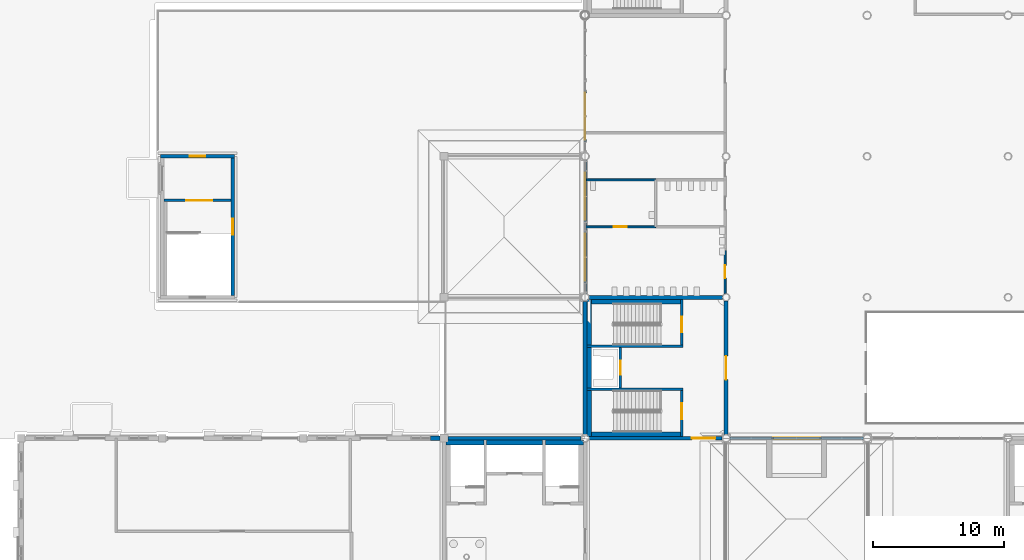
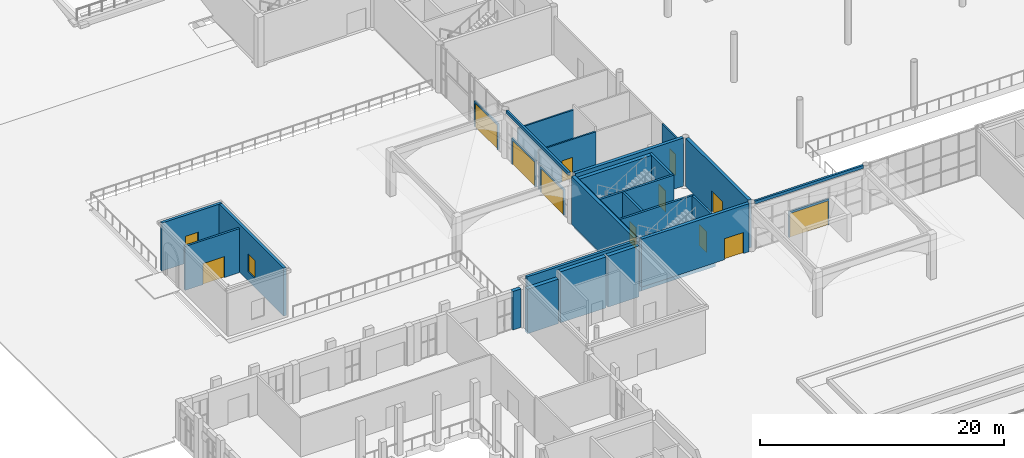
# One storey, part 46 of 91: 31 walls, 12 doors, 2 windows, 14 openings.
"""IFC4 building model written with IfcOpenShell, lengths in metres."""

from ifc_helpers import new_model, si_unit, direction, frame, frame_2d, origin, place, context, subcontext, project, spatial, rectangle, extrude, material, layer, layer_set, type_object, element, fill, save


model = new_model("IFC4")

# Units and contexts
model_context = context("Model", 3, precision=1e-05, world=origin(), true_north=direction((0.0, 1.0)))
body_context = subcontext(model_context, "Body", "Model", "MODEL_VIEW")
ifc_project = project(units=[si_unit("LENGTHUNIT", "METRE"), si_unit("AREAUNIT", "SQUARE_METRE"), si_unit("VOLUMEUNIT", "CUBIC_METRE"), si_unit("PLANEANGLEUNIT", "RADIAN"), si_unit("MASSUNIT", "GRAM", prefix="KILO")], contexts=[model_context])

# Site, building, storey
site_placement = place(None, origin())
site = spatial("IfcSite", under=ifc_project, at=site_placement, CompositionType="ELEMENT")
building_placement = place(site_placement, origin())
building = spatial("IfcBuilding", under=site, at=building_placement, Name="Magnolia Steps Interchange", CompositionType="ELEMENT")
storey_placement = place(building_placement, origin())
storey = spatial("IfcBuildingStorey", under=building, at=storey_placement, Name="L00", CompositionType="ELEMENT", Elevation=0.0)

# Wall, opening, door
ifc_material_1 = material(Name="Concrete C35", Category="concrete")
ifc_layer_1 = layer(ifc_material_1, 0.199951171875)
ifc_layer_set_1 = layer_set([ifc_layer_1], Name="Core enclosure wall 200")
wall_type_1 = type_object("IfcWallType", Name="Core enclosure wall 200", PredefinedType="SOLIDWALL", material=ifc_layer_set_1)
wall_1_placement = place(storey_placement, frame((60.60009765625, 42.550048828125, 0.0), z_axis=(0.0, 0.0, 1.0), x_axis=(0.0, 1.0, 0.0)))
wall_1 = element("IfcWall", 1, at=wall_1_placement, inside=storey, type_object=wall_type_1, Name="L00 HC3 enclosure wall", PredefinedType="SOLIDWALL", context=body_context, shape_type="SweptSolid", body=[
    extrude(rectangle(XDim=3.5, YDim=0.199951171875, at=frame_2d((1.75, 0.0))), origin(), (0.0, 0.0, 1.0), 4.39990234375),
])
opening_1_placement = place(wall_1_placement, frame((1.324951171875, 0.0, 0.0)))
opening_1 = element("IfcOpeningElement", 2, at=opening_1_placement, cuts=wall_1, Name="Opening D-HC3-L00-1", PredefinedType="OPENING", context=body_context, shape_type="SweptSolid", body=[
    extrude(rectangle(XDim=1.199951171875, YDim=2.10009765625, at=frame_2d((0.60009765625, 1.050048828125))), frame((0.0, 0.10986328125, 0.0), z_axis=(0.0, -1.0, 0.0), x_axis=(1.0, 0.0, 0.0)), (0.0, 0.0, 1.0), 0.219970703125),
])
ifc_material_2 = material(Name="Painted steel", Category="steel")
door_type_1 = type_object("IfcDoorType", Name="Stair fire door 1200x2100", OperationType="NOTDEFINED", PredefinedType="DOOR", material=ifc_material_2)
door_1_placement = place(opening_1_placement, frame((1.199951171875, 0.0, 0.0), z_axis=(0.0, 0.0, 1.0), x_axis=(-1.0, 0.0, 0.0)))
door_1 = element("IfcDoor", 3, at=door_1_placement, inside=storey, type_object=door_type_1, Name="Stair door ST5 L00", OperationType="SINGLE_SWING_LEFT", OverallHeight=2.10009765625, OverallWidth=1.199951171875, PredefinedType="DOOR", context=body_context, shape_type="SweptSolid", body=[
    extrude(rectangle(XDim=1.199951171875, YDim=2.10009765625, at=frame_2d((0.60009765625, 1.050048828125))), frame((0.0, 0.02490234375, 0.0), z_axis=(0.0, -1.0, 0.0), x_axis=(1.0, 0.0, 0.0)), (0.0, 0.0, 1.0), 0.050048828125),
])
fill(opening_1, door_1)

# Wall
wall_2_placement = place(storey_placement, frame((60.699951171875, 46.14990234375, 0.0), z_axis=(0.0, 0.0, 1.0), x_axis=(-1.0, 0.0, 0.0)))
element("IfcWall", 4, at=wall_2_placement, inside=storey, type_object=wall_type_1, Name="L00 HC3 enclosure wall", PredefinedType="SOLIDWALL", context=body_context, shape_type="SweptSolid", body=[
    extrude(rectangle(XDim=7.349853515625, YDim=0.199951171875, at=frame_2d((3.6748046875, 0.0))), origin(), (0.0, 0.0, 1.0), 4.39990234375),
])

# Wall, opening, door
wall_3_placement = place(storey_placement, frame((55.89990234375, 46.25, 0.0), z_axis=(0.0, 0.0, 1.0), x_axis=(0.0, 1.0, 0.0)))
wall_3 = element("IfcWall", 5, at=wall_3_placement, inside=storey, type_object=wall_type_1, Name="L00 HC3 enclosure wall", PredefinedType="SOLIDWALL", context=body_context, shape_type="SweptSolid", body=[
    extrude(rectangle(XDim=3.10009765625, YDim=0.199951171875, at=frame_2d((1.550048828125, 0.0))), origin(), (0.0, 0.0, 1.0), 4.39990234375),
])
opening_2_placement = place(wall_3_placement, frame((1.0, 0.0, 0.0)))
opening_2 = element("IfcOpeningElement", 6, at=opening_2_placement, cuts=wall_3, Name="Opening LD", PredefinedType="OPENING", context=body_context, shape_type="SweptSolid", body=[
    extrude(rectangle(XDim=1.10009765625, YDim=2.10009765625, at=frame_2d((0.550048828125, 1.050048828125))), frame((0.0, 0.10986328125, 0.0), z_axis=(0.0, -1.0, 0.0), x_axis=(1.0, 0.0, 0.0)), (0.0, 0.0, 1.0), 0.219970703125),
])
ifc_material_3 = material(Name="Stainless steel grade 304", Category="steel")
door_type_2 = type_object("IfcDoorType", Name="Lift landing door 1100x2100", OperationType="DOUBLE_DOOR_SLIDING", PredefinedType="DOOR", material=ifc_material_3)
door_2_placement = place(opening_2_placement, frame((1.10009765625, 0.0, 0.0), z_axis=(0.0, 0.0, 1.0), x_axis=(-1.0, 0.0, 0.0)))
door_2 = element("IfcDoor", 7, at=door_2_placement, inside=storey, type_object=door_type_2, Name="Lift landing door LF3 L00", OperationType="DOUBLE_DOOR_SLIDING", OverallHeight=2.10009765625, OverallWidth=1.10009765625, PredefinedType="DOOR", context=body_context, shape_type="SweptSolid", body=[
    extrude(rectangle(XDim=1.10009765625, YDim=2.10009765625, at=frame_2d((0.550048828125, 1.050048828125))), frame((0.0, 0.02490234375, 0.0), z_axis=(0.0, -1.0, 0.0), x_axis=(1.0, 0.0, 0.0)), (0.0, 0.0, 1.0), 0.050048828125),
])
fill(opening_2, door_2)

# Wall
wall_4_placement = place(storey_placement, frame((60.699951171875, 49.449951171875, 0.0), z_axis=(0.0, 0.0, 1.0), x_axis=(-1.0, 0.0, 0.0)))
element("IfcWall", 8, at=wall_4_placement, inside=storey, type_object=wall_type_1, Name="L00 HC3 enclosure wall", PredefinedType="SOLIDWALL", context=body_context, shape_type="SweptSolid", body=[
    extrude(rectangle(XDim=7.349853515625, YDim=0.199951171875, at=frame_2d((3.6748046875, 0.0))), origin(), (0.0, 0.0, 1.0), 4.39990234375),
])

# Wall, opening, door
wall_5_placement = place(storey_placement, frame((60.60009765625, 49.550048828125, 0.0), z_axis=(0.0, 0.0, 1.0), x_axis=(0.0, 1.0, 0.0)))
wall_5 = element("IfcWall", 9, at=wall_5_placement, inside=storey, type_object=wall_type_1, Name="L00 HC3 enclosure wall", PredefinedType="SOLIDWALL", context=body_context, shape_type="SweptSolid", body=[
    extrude(rectangle(XDim=3.5, YDim=0.199951171875, at=frame_2d((1.75, 0.0))), origin(), (0.0, 0.0, 1.0), 4.39990234375),
])
opening_3_placement = place(wall_5_placement, frame((0.97509765625, 0.0, 0.0)))
opening_3 = element("IfcOpeningElement", 10, at=opening_3_placement, cuts=wall_5, Name="Opening D-HC3-L00-2", PredefinedType="OPENING", context=body_context, shape_type="SweptSolid", body=[
    extrude(rectangle(XDim=1.199951171875, YDim=2.10009765625, at=frame_2d((0.60009765625, 1.050048828125))), frame((0.0, 0.10986328125, 0.0), z_axis=(0.0, -1.0, 0.0), x_axis=(1.0, 0.0, 0.0)), (0.0, 0.0, 1.0), 0.219970703125),
])
door_3_placement = place(opening_3_placement, frame((1.199951171875, 0.0, 0.0), z_axis=(0.0, 0.0, 1.0), x_axis=(-1.0, 0.0, 0.0)))
door_3 = element("IfcDoor", 11, at=door_3_placement, inside=storey, type_object=door_type_1, Name="Stair door ST6 L00", OperationType="SINGLE_SWING_RIGHT", OverallHeight=2.10009765625, OverallWidth=1.199951171875, PredefinedType="DOOR", context=body_context, shape_type="SweptSolid", body=[
    extrude(rectangle(XDim=1.199951171875, YDim=2.10009765625, at=frame_2d((0.60009765625, 1.050048828125))), frame((0.0, 0.02490234375, 0.0), z_axis=(0.0, -1.0, 0.0), x_axis=(1.0, 0.0, 0.0)), (0.0, 0.0, 1.0), 0.050048828125),
])
fill(opening_3, door_3)

wall_6_placement = place(storey_placement, frame((26.074951171875, 60.625, 0.0), z_axis=(0.0, 0.0, 1.0), x_axis=(-1.0, 0.0, 0.0)))
wall_6 = element("IfcWall", 12, at=wall_6_placement, inside=storey, type_object=wall_type_1, Name="L00 BE-W enclosure wall", PredefinedType="SOLIDWALL", context=body_context, shape_type="SweptSolid", body=[
    extrude(rectangle(XDim=5.14990234375, YDim=0.199951171875, at=frame_2d((2.574951171875, 0.0))), origin(), (0.0, 0.0, 1.0), 4.39990234375),
])
opening_4_placement = place(wall_6_placement, frame((1.449951171875, 0.0, 0.0)))
opening_4 = element("IfcOpeningElement", 13, at=opening_4_placement, cuts=wall_6, Name="Opening D-BE-W-L00-1", PredefinedType="OPENING", context=body_context, shape_type="SweptSolid", body=[
    extrude(rectangle(XDim=2.0, YDim=2.10009765625, at=frame_2d((1.0, 1.050048828125))), frame((0.0, 0.10986328125, 0.0), z_axis=(0.0, -1.0, 0.0), x_axis=(1.0, 0.0, 0.0)), (0.0, 0.0, 1.0), 0.219970703125),
])
ifc_material_4 = material(Name="Painted steel", Category="steel")
door_type_3 = type_object("IfcDoorType", Name="Stair fire door pair 2000x2100", OperationType="DOUBLE_DOOR_DOUBLE_SWING", PredefinedType="DOOR", material=ifc_material_4)
door_4_placement = place(opening_4_placement, frame((2.0, 0.0, 0.0), z_axis=(0.0, 0.0, 1.0), x_axis=(-1.0, 0.0, 0.0)))
door_4 = element("IfcDoor", 14, at=door_4_placement, inside=storey, type_object=door_type_3, Name="Stair door ST15 L00", OperationType="DOUBLE_DOOR_DOUBLE_SWING", OverallHeight=2.10009765625, OverallWidth=2.0, PredefinedType="DOOR", context=body_context, shape_type="SweptSolid", body=[
    extrude(rectangle(XDim=2.0, YDim=2.10009765625, at=frame_2d((1.0, 1.050048828125))), frame((0.0, 0.02490234375, 0.0), z_axis=(0.0, -1.0, 0.0), x_axis=(1.0, 0.0, 0.0)), (0.0, 0.0, 1.0), 0.050048828125),
])
fill(opening_4, door_4)

# Walls
ifc_material_5 = material(Name="Concrete C35", Category="concrete")
ifc_layer_2 = layer(ifc_material_5, 0.35009765625)
ifc_layer_set_2 = layer_set([ifc_layer_2], Name="Core lining wall 350")
wall_type_2 = type_object("IfcWallType", Name="Core lining wall 350", PredefinedType="SOLIDWALL", material=ifc_layer_set_2)
wall_7_placement = place(storey_placement, frame((60.699951171875, 42.72509765625, -0.60009765625), z_axis=(0.0, 0.0, 1.0), x_axis=(-1.0, 0.0, 0.0)))
element("IfcWall", 15, at=wall_7_placement, inside=storey, type_object=wall_type_2, Name="L00 HC3 stair lining wall", PredefinedType="SOLIDWALL", context=body_context, shape_type="SweptSolid", body=[
    extrude(rectangle(XDim=7.349853515625, YDim=0.35009765625, at=frame_2d((3.6748046875, 0.0))), origin(), (0.0, 0.0, 1.0), 5.0),
])
wall_8_placement = place(storey_placement, frame((53.52490234375, 42.550048828125, -0.60009765625), z_axis=(0.0, 0.0, 1.0), x_axis=(0.0, 1.0, 0.0)))
element("IfcWall", 16, at=wall_8_placement, inside=storey, type_object=wall_type_2, Name="L00 HC3 stair lining wall", PredefinedType="SOLIDWALL", context=body_context, shape_type="SweptSolid", body=[
    extrude(rectangle(XDim=3.5, YDim=0.35009765625, at=frame_2d((1.75, 0.0))), origin(), (0.0, 0.0, 1.0), 5.0),
])
wall_9_placement = place(storey_placement, frame((60.699951171875, 52.875, -0.60009765625), z_axis=(0.0, 0.0, 1.0), x_axis=(-1.0, 0.0, 0.0)))
element("IfcWall", 17, at=wall_9_placement, inside=storey, type_object=wall_type_2, Name="L00 HC3 stair lining wall", PredefinedType="SOLIDWALL", context=body_context, shape_type="SweptSolid", body=[
    extrude(rectangle(XDim=7.349853515625, YDim=0.35009765625, at=frame_2d((3.6748046875, 0.0))), origin(), (0.0, 0.0, 1.0), 5.0),
])
wall_10_placement = place(storey_placement, frame((53.52490234375, 49.550048828125, -0.60009765625), z_axis=(0.0, 0.0, 1.0), x_axis=(0.0, 1.0, 0.0)))
element("IfcWall", 18, at=wall_10_placement, inside=storey, type_object=wall_type_2, Name="L00 HC3 stair lining wall", PredefinedType="SOLIDWALL", context=body_context, shape_type="SweptSolid", body=[
    extrude(rectangle(XDim=3.5, YDim=0.35009765625, at=frame_2d((1.75, 0.0))), origin(), (0.0, 0.0, 1.0), 5.0),
])
wall_11_placement = place(storey_placement, frame((53.52490234375, 46.25, -0.60009765625), z_axis=(0.0, 0.0, 1.0), x_axis=(0.0, 1.0, 0.0)))
element("IfcWall", 19, at=wall_11_placement, inside=storey, type_object=wall_type_2, Name="L00 HC3 stair lining wall", PredefinedType="SOLIDWALL", context=body_context, shape_type="SweptSolid", body=[
    extrude(rectangle(XDim=3.10009765625, YDim=0.35009765625, at=frame_2d((1.550048828125, 0.0))), origin(), (0.0, 0.0, 1.0), 5.0),
])
ifc_material_6 = material(Name="Concrete C35", Category="concrete")
ifc_layer_3 = layer(ifc_material_6, 0.375)
ifc_layer_set_3 = layer_set([ifc_layer_3], Name="Core lining wall 375")
wall_type_3 = type_object("IfcWallType", Name="Core lining wall 375", PredefinedType="SOLIDWALL", material=ifc_layer_set_3)
wall_12_placement = place(storey_placement, frame((42.52490234375, 42.08740234375, -0.60009765625), z_axis=(0.0, 0.0, 1.0), x_axis=(1.0, 0.0, 0.0)))
element("IfcWall", 20, at=wall_12_placement, inside=storey, type_object=wall_type_3, Name="L00 BC1 stair lining wall", PredefinedType="SOLIDWALL", context=body_context, shape_type="SweptSolid", body=[
    extrude(rectangle(XDim=2.925048828125, YDim=0.375, at=frame_2d((1.46240234375, 0.0))), origin(), (0.0, 0.0, 1.0), 4.4501953125),
])
wall_13_placement = place(storey_placement, frame((50.14990234375, 42.08740234375, -0.60009765625), z_axis=(0.0, 0.0, 1.0), x_axis=(1.0, 0.0, 0.0)))
element("IfcWall", 21, at=wall_13_placement, inside=storey, type_object=wall_type_3, Name="L00 BC1 stair lining wall", PredefinedType="SOLIDWALL", context=body_context, shape_type="SweptSolid", body=[
    extrude(rectangle(XDim=2.925048828125, YDim=0.375, at=frame_2d((1.46240234375, 0.0))), origin(), (0.0, 0.0, 1.0), 5.10009765625),
])
wall_14_placement = place(storey_placement, frame((45.64990234375, 42.08740234375, -0.60009765625), z_axis=(0.0, 0.0, 1.0), x_axis=(1.0, 0.0, 0.0)))
element("IfcWall", 22, at=wall_14_placement, inside=storey, type_object=wall_type_3, Name="L00 BC1 stair lining wall", PredefinedType="SOLIDWALL", context=body_context, shape_type="SweptSolid", body=[
    extrude(rectangle(XDim=4.300048828125, YDim=0.375, at=frame_2d((2.14990234375, 0.0))), origin(), (0.0, 0.0, 1.0), 5.10009765625),
])

# Wall, opening, window
ifc_material_7 = material(Name="Concrete C40", Category="concrete")
ifc_layer_4 = layer(ifc_material_7, 0.25)
ifc_layer_set_4 = layer_set([ifc_layer_4], Name="Core wall 250")
wall_type_4 = type_object("IfcWallType", Name="Core wall 250", PredefinedType="SOLIDWALL", material=ifc_layer_set_4)
wall_15_placement = place(storey_placement, frame((26.199951171875, 53.324951171875, 0.0), z_axis=(0.0, 0.0, 1.0), x_axis=(0.0, 1.0, 0.0)))
wall_15 = element("IfcWall", 23, at=wall_15_placement, inside=storey, type_object=wall_type_4, Name="Core wall BE-W", PredefinedType="SOLIDWALL", context=body_context, shape_type="SweptSolid", body=[
    extrude(rectangle(XDim=10.550048828125, YDim=0.25, at=frame_2d((5.27490234375, 0.0))), origin(), (0.0, 0.0, 1.0), 4.800048828125),
])
opening_5_placement = place(wall_15_placement, frame((4.675048828125, 0.0, 0.89990234375)))
opening_5 = element("IfcOpeningElement", 24, at=opening_5_placement, cuts=wall_15, Name="Opening WN9", PredefinedType="OPENING", context=body_context, shape_type="SweptSolid", body=[
    extrude(rectangle(XDim=1.199951171875, YDim=1.800048828125, at=frame_2d((0.60009765625, 0.89990234375))), frame((0.0, 0.135009765625, 0.0), z_axis=(0.0, -1.0, 0.0), x_axis=(1.0, 0.0, 0.0)), (0.0, 0.0, 1.0), 0.27001953125),
])
ifc_material_8 = material(Name="Timber frame with double glazing", Category="wood")
window_type = type_object("IfcWindowType", Name="Casement window 1200 x 1800", PartitioningType="DOUBLE_PANEL_VERTICAL", PredefinedType="WINDOW", material=ifc_material_8)
window_1_placement = place(opening_5_placement, origin())
window_1 = element("IfcWindow", 25, at=window_1_placement, inside=storey, type_object=window_type, Name="Pavilion window BE-W E", OverallHeight=1.800048828125, OverallWidth=1.199951171875, PartitioningType="SINGLE_PANEL", PredefinedType="WINDOW", context=body_context, shape_type="SweptSolid", body=[
    extrude(rectangle(XDim=1.199951171875, YDim=1.800048828125, at=frame_2d((0.60009765625, 0.89990234375))), frame((0.0, 0.030029296875, 0.0), z_axis=(0.0, -1.0, 0.0), x_axis=(1.0, 0.0, 0.0)), (0.0, 0.0, 1.0), 0.06005859375),
])
fill(opening_5, window_1)

wall_16_placement = place(storey_placement, frame((26.324951171875, 64.0, 0.0), z_axis=(0.0, 0.0, 1.0), x_axis=(-1.0, 0.0, 0.0)))
wall_16 = element("IfcWall", 26, at=wall_16_placement, inside=storey, type_object=wall_type_4, Name="Core wall BE-W", PredefinedType="SOLIDWALL", context=body_context, shape_type="SweptSolid", body=[
    extrude(rectangle(XDim=5.64990234375, YDim=0.25, at=frame_2d((2.824951171875, 0.0))), origin(), (0.0, 0.0, 1.0), 4.800048828125),
])
opening_6_placement = place(wall_16_placement, frame((2.22509765625, 0.0, 0.89990234375)))
opening_6 = element("IfcOpeningElement", 27, at=opening_6_placement, cuts=wall_16, Name="Opening WN9", PredefinedType="OPENING", context=body_context, shape_type="SweptSolid", body=[
    extrude(rectangle(XDim=1.199951171875, YDim=1.800048828125, at=frame_2d((0.60009765625, 0.89990234375))), frame((0.0, 0.135009765625, 0.0), z_axis=(0.0, -1.0, 0.0), x_axis=(1.0, 0.0, 0.0)), (0.0, 0.0, 1.0), 0.27001953125),
])
window_2_placement = place(opening_6_placement, origin())
window_2 = element("IfcWindow", 28, at=window_2_placement, inside=storey, type_object=window_type, Name="Pavilion window BE-W N", OverallHeight=1.800048828125, OverallWidth=1.199951171875, PartitioningType="SINGLE_PANEL", PredefinedType="WINDOW", context=body_context, shape_type="SweptSolid", body=[
    extrude(rectangle(XDim=1.199951171875, YDim=1.800048828125, at=frame_2d((0.60009765625, 0.89990234375))), frame((0.0, 0.030029296875, 0.0), z_axis=(0.0, -1.0, 0.0), x_axis=(1.0, 0.0, 0.0)), (0.0, 0.0, 1.0), 0.06005859375),
])
fill(opening_6, window_2)

# Wall
wall_17_placement = place(storey_placement, frame((52.89501953125, 42.39990234375, 0.0), z_axis=(0.0, 0.0, 1.0), x_axis=(-1.0, 0.0, 0.0)))
element("IfcWall", 29, at=wall_17_placement, inside=storey, type_object=wall_type_4, Name="Core wall BC1", PredefinedType="SOLIDWALL", context=body_context, shape_type="SweptSolid", body=[
    extrude(rectangle(XDim=10.195068359375, YDim=0.25, at=frame_2d((5.09765625, 0.0))), origin(), (0.0, 0.0, 1.0), 4.800048828125),
])

# Wall, opening, door
ifc_material_9 = material(Name="Concrete C40", Category="concrete")
ifc_layer_5 = layer(ifc_material_9, 0.300048828125)
ifc_layer_set_5 = layer_set([ifc_layer_5], Name="Core wall 300")
wall_type_5 = type_object("IfcWallType", Name="Core wall 300", PredefinedType="SOLIDWALL", material=ifc_layer_set_5)
wall_18_placement = place(storey_placement, frame((53.5048828125, 42.39990234375, 0.0), z_axis=(0.0, 0.0, 1.0), x_axis=(1.0, 0.0, 0.0)))
wall_18 = element("IfcWall", 30, at=wall_18_placement, inside=storey, type_object=wall_type_5, Name="Core wall HC3", PredefinedType="SOLIDWALL", context=body_context, shape_type="SweptSolid", body=[
    extrude(rectangle(XDim=10.190185546875, YDim=0.300048828125, at=frame_2d((5.09521484375, 0.0))), origin(), (0.0, 0.0, 1.0), 4.800048828125),
])
opening_7_placement = place(wall_18_placement, frame((7.8701171875, 0.0, 0.0)))
opening_7 = element("IfcOpeningElement", 31, at=opening_7_placement, cuts=wall_18, Name="Opening D-HC3-L00-4", PredefinedType="OPENING", context=body_context, shape_type="SweptSolid", body=[
    extrude(rectangle(XDim=1.800048828125, YDim=2.10009765625, at=frame_2d((0.89990234375, 1.050048828125))), frame((0.0, 0.159912109375, 0.0), z_axis=(0.0, -1.0, 0.0), x_axis=(1.0, 0.0, 0.0)), (0.0, 0.0, 1.0), 0.320068359375),
])
ifc_material_10 = material(Name="Timber and glass", Category="wood")
door_type_4 = type_object("IfcDoorType", Name="Core entrance door pair 1800x2100", OperationType="DOUBLE_DOOR_DOUBLE_SWING", PredefinedType="DOOR", material=ifc_material_10)
door_5_placement = place(opening_7_placement, frame((1.800048828125, 0.0, 0.0), z_axis=(0.0, 0.0, 1.0), x_axis=(-1.0, 0.0, 0.0)))
door_5 = element("IfcDoor", 32, at=door_5_placement, inside=storey, type_object=door_type_4, Name="Core entrance door HC3 L00", OperationType="DOUBLE_DOOR_DOUBLE_SWING", OverallHeight=2.10009765625, OverallWidth=1.800048828125, PredefinedType="DOOR", context=body_context, shape_type="SweptSolid", body=[
    extrude(rectangle(XDim=1.800048828125, YDim=2.10009765625, at=frame_2d((0.89990234375, 1.050048828125))), frame((0.0, 0.02490234375, 0.0), z_axis=(0.0, -1.0, 0.0), x_axis=(1.0, 0.0, 0.0)), (0.0, 0.0, 1.0), 0.050048828125),
])
fill(opening_7, door_5)

wall_19_placement = place(storey_placement, frame((64.0, 42.705078125, 0.0), z_axis=(0.0, 0.0, 1.0), x_axis=(0.0, 1.0, 0.0)))
wall_19 = element("IfcWall", 33, at=wall_19_placement, inside=storey, type_object=wall_type_5, Name="Core wall HC3", PredefinedType="SOLIDWALL", context=body_context, shape_type="SweptSolid", body=[
    extrude(rectangle(XDim=10.21533203125, YDim=0.300048828125, at=frame_2d((5.107666015625, 0.0))), origin(), (0.0, 0.0, 1.0), 4.800048828125),
])
opening_8_placement = place(wall_19_placement, frame((4.195068359375, 0.0, 0.0)))
opening_8 = element("IfcOpeningElement", 34, at=opening_8_placement, cuts=wall_19, Name="Opening D-HC3-L00-3", PredefinedType="OPENING", context=body_context, shape_type="SweptSolid", body=[
    extrude(rectangle(XDim=1.800048828125, YDim=2.10009765625, at=frame_2d((0.89990234375, 1.050048828125))), frame((0.0, 0.159912109375, 0.0), z_axis=(0.0, -1.0, 0.0), x_axis=(1.0, 0.0, 0.0)), (0.0, 0.0, 1.0), 0.320068359375),
])
door_6_placement = place(opening_8_placement, frame((1.800048828125, 0.0, 0.0), z_axis=(0.0, 0.0, 1.0), x_axis=(-1.0, 0.0, 0.0)))
door_6 = element("IfcDoor", 35, at=door_6_placement, inside=storey, type_object=door_type_4, Name="Core entrance door HC3 L00", OperationType="DOUBLE_DOOR_DOUBLE_SWING", OverallHeight=2.10009765625, OverallWidth=1.800048828125, PredefinedType="DOOR", context=body_context, shape_type="SweptSolid", body=[
    extrude(rectangle(XDim=1.800048828125, YDim=2.10009765625, at=frame_2d((0.89990234375, 1.050048828125))), frame((0.0, 0.02490234375, 0.0), z_axis=(0.0, -1.0, 0.0), x_axis=(1.0, 0.0, 0.0)), (0.0, 0.0, 1.0), 0.050048828125),
])
fill(opening_8, door_6)

# Walls
wall_20_placement = place(storey_placement, frame((63.720458984375, 53.199951171875, 0.0), z_axis=(0.0, 0.0, 1.0), x_axis=(-1.0, 0.0, 0.0)))
element("IfcWall", 36, at=wall_20_placement, inside=storey, type_object=wall_type_5, Name="Core wall HC3", PredefinedType="SOLIDWALL", context=body_context, shape_type="SweptSolid", body=[
    extrude(rectangle(XDim=10.215576171875, YDim=0.300048828125, at=frame_2d((5.10791015625, 0.0))), origin(), (0.0, 0.0, 1.0), 4.800048828125),
])
wall_21_placement = place(storey_placement, frame((53.199951171875, 52.89501953125, 0.0), z_axis=(0.0, 0.0, 1.0), x_axis=(0.0, -1.0, 0.0)))
element("IfcWall", 37, at=wall_21_placement, inside=storey, type_object=wall_type_5, Name="Core wall HC3", PredefinedType="SOLIDWALL", context=body_context, shape_type="SweptSolid", body=[
    extrude(rectangle(XDim=10.18994140625, YDim=0.300048828125, at=frame_2d((5.094970703125, 0.0))), origin(), (0.0, 0.0, 1.0), 4.800048828125),
])

# Wall, opening, door
ifc_material_11 = material(Name="Powder-coated aluminium and glass", Category="aluminium")
ifc_layer_6 = layer(ifc_material_11, 0.14990234375)
ifc_layer_set_6 = layer_set([ifc_layer_6], Name="Glazed entrance frame wall 150")
wall_type_6 = type_object("IfcWallType", Name="Glazed entrance frame wall 150", PredefinedType="SOLIDWALL", material=ifc_layer_set_6)
wall_22_placement = place(storey_placement, frame((67.5, 42.39990234375, 0.0), z_axis=(0.0, 0.0, 1.0), x_axis=(1.0, 0.0, 0.0)))
wall_22 = element("IfcWall", 38, at=wall_22_placement, inside=storey, type_object=wall_type_6, Name="EW/HALL/ENT/S2/L00", PredefinedType="SOLIDWALL", context=body_context, shape_type="SweptSolid", body=[
    extrude(rectangle(XDim=3.800048828125, YDim=0.14990234375, at=frame_2d((1.89990234375, 0.0))), origin(), (0.0, 0.0, 1.0), 2.60009765625),
])
opening_9_placement = place(wall_22_placement, frame((0.10009765625, 0.0, 0.0)))
opening_9 = element("IfcOpeningElement", 39, at=opening_9_placement, cuts=wall_22, Name="Opening E04", PredefinedType="OPENING", context=body_context, shape_type="SweptSolid", body=[
    extrude(rectangle(XDim=3.60009765625, YDim=2.39990234375, at=frame_2d((1.800048828125, 1.199951171875))), frame((0.0, 0.0849609375, 0.0), z_axis=(0.0, -1.0, 0.0), x_axis=(1.0, 0.0, 0.0)), (0.0, 0.0, 1.0), 0.169921875),
])
ifc_material_12 = material(Name="Aluminium and glass", Category="aluminium")
door_type_5 = type_object("IfcDoorType", Name="Glazed entrance door 3600 x 2400", OperationType="DOUBLE_DOOR_SLIDING", PredefinedType="DOOR", material=ifc_material_12)
door_7_placement = place(opening_9_placement, origin())
door_7 = element("IfcDoor", 40, at=door_7_placement, inside=storey, type_object=door_type_5, Name="Hall entrance doors S2", OperationType="DOUBLE_DOOR_SLIDING", OverallHeight=2.39990234375, OverallWidth=3.60009765625, PredefinedType="DOOR", context=body_context, shape_type="SweptSolid", body=[
    extrude(rectangle(XDim=3.60009765625, YDim=2.39990234375, at=frame_2d((1.800048828125, 1.199951171875))), frame((0.0, 0.02490234375, 0.0), z_axis=(0.0, -1.0, 0.0), x_axis=(1.0, 0.0, 0.0)), (0.0, 0.0, 1.0), 0.050048828125),
])
fill(opening_9, door_7)

wall_23_placement = place(storey_placement, frame((53.199951171875, 54.320068359375, 0.0), z_axis=(0.0, 0.0, 1.0), x_axis=(0.0, 1.0, 0.0)))
wall_23 = element("IfcWall", 41, at=wall_23_placement, inside=storey, type_object=wall_type_6, Name="EW/HALL/ENT/W2/L00/1", PredefinedType="SOLIDWALL", context=body_context, shape_type="SweptSolid", body=[
    extrude(rectangle(XDim=3.89990234375, YDim=0.14990234375, at=frame_2d((1.949951171875, 0.0))), origin(), (0.0, 0.0, 1.0), 2.60009765625),
])
opening_10_placement = place(wall_23_placement, frame((0.14990234375, 0.0, 0.0)))
opening_10 = element("IfcOpeningElement", 42, at=opening_10_placement, cuts=wall_23, Name="Opening E08", PredefinedType="OPENING", context=body_context, shape_type="SweptSolid", body=[
    extrude(rectangle(XDim=3.60009765625, YDim=2.39990234375, at=frame_2d((1.800048828125, 1.199951171875))), frame((0.0, 0.0849609375, 0.0), z_axis=(0.0, -1.0, 0.0), x_axis=(1.0, 0.0, 0.0)), (0.0, 0.0, 1.0), 0.169921875),
])
door_8_placement = place(opening_10_placement, origin())
door_8 = element("IfcDoor", 43, at=door_8_placement, inside=storey, type_object=door_type_5, Name="Hall entrance doors W2-1", OperationType="DOUBLE_DOOR_SLIDING", OverallHeight=2.39990234375, OverallWidth=3.60009765625, PredefinedType="DOOR", context=body_context, shape_type="SweptSolid", body=[
    extrude(rectangle(XDim=3.60009765625, YDim=2.39990234375, at=frame_2d((1.800048828125, 1.199951171875))), frame((0.0, 0.02490234375, 0.0), z_axis=(0.0, -1.0, 0.0), x_axis=(1.0, 0.0, 0.0)), (0.0, 0.0, 1.0), 0.050048828125),
])
fill(opening_10, door_8)

wall_24_placement = place(storey_placement, frame((53.199951171875, 58.97998046875, 0.0), z_axis=(0.0, 0.0, 1.0), x_axis=(0.0, 1.0, 0.0)))
wall_24 = element("IfcWall", 44, at=wall_24_placement, inside=storey, type_object=wall_type_6, Name="EW/HALL/ENT/W2/L00/2", PredefinedType="SOLIDWALL", context=body_context, shape_type="SweptSolid", body=[
    extrude(rectangle(XDim=3.89990234375, YDim=0.14990234375, at=frame_2d((1.949951171875, 0.0))), origin(), (0.0, 0.0, 1.0), 2.60009765625),
])
opening_11_placement = place(wall_24_placement, frame((0.14990234375, 0.0, 0.0)))
opening_11 = element("IfcOpeningElement", 45, at=opening_11_placement, cuts=wall_24, Name="Opening E09", PredefinedType="OPENING", context=body_context, shape_type="SweptSolid", body=[
    extrude(rectangle(XDim=3.60009765625, YDim=2.39990234375, at=frame_2d((1.800048828125, 1.199951171875))), frame((0.0, 0.0849609375, 0.0), z_axis=(0.0, -1.0, 0.0), x_axis=(1.0, 0.0, 0.0)), (0.0, 0.0, 1.0), 0.169921875),
])
door_9_placement = place(opening_11_placement, origin())
door_9 = element("IfcDoor", 46, at=door_9_placement, inside=storey, type_object=door_type_5, Name="Hall entrance doors W2-2", OperationType="DOUBLE_DOOR_SLIDING", OverallHeight=2.39990234375, OverallWidth=3.60009765625, PredefinedType="DOOR", context=body_context, shape_type="SweptSolid", body=[
    extrude(rectangle(XDim=3.60009765625, YDim=2.39990234375, at=frame_2d((1.800048828125, 1.199951171875))), frame((0.0, 0.02490234375, 0.0), z_axis=(0.0, -1.0, 0.0), x_axis=(1.0, 0.0, 0.0)), (0.0, 0.0, 1.0), 0.050048828125),
])
fill(opening_11, door_9)

wall_25_placement = place(storey_placement, frame((53.199951171875, 65.1201171875, 0.0), z_axis=(0.0, 0.0, 1.0), x_axis=(0.0, 1.0, 0.0)))
wall_25 = element("IfcWall", 47, at=wall_25_placement, inside=storey, type_object=wall_type_6, Name="EW/HALL/ENT/W3/L00/1", PredefinedType="SOLIDWALL", context=body_context, shape_type="SweptSolid", body=[
    extrude(rectangle(XDim=3.89990234375, YDim=0.14990234375, at=frame_2d((1.949951171875, 0.0))), origin(), (0.0, 0.0, 1.0), 2.60009765625),
])
opening_12_placement = place(wall_25_placement, frame((0.14990234375, 0.0, 0.0)))
opening_12 = element("IfcOpeningElement", 48, at=opening_12_placement, cuts=wall_25, Name="Opening E10", PredefinedType="OPENING", context=body_context, shape_type="SweptSolid", body=[
    extrude(rectangle(XDim=3.60009765625, YDim=2.39990234375, at=frame_2d((1.800048828125, 1.199951171875))), frame((0.0, 0.0849609375, 0.0), z_axis=(0.0, -1.0, 0.0), x_axis=(1.0, 0.0, 0.0)), (0.0, 0.0, 1.0), 0.169921875),
])
door_10_placement = place(opening_12_placement, origin())
door_10 = element("IfcDoor", 49, at=door_10_placement, inside=storey, type_object=door_type_5, Name="Hall entrance doors W3-1", OperationType="DOUBLE_DOOR_SLIDING", OverallHeight=2.39990234375, OverallWidth=3.60009765625, PredefinedType="DOOR", context=body_context, shape_type="SweptSolid", body=[
    extrude(rectangle(XDim=3.60009765625, YDim=2.39990234375, at=frame_2d((1.800048828125, 1.199951171875))), frame((0.0, 0.02490234375, 0.0), z_axis=(0.0, -1.0, 0.0), x_axis=(1.0, 0.0, 0.0)), (0.0, 0.0, 1.0), 0.050048828125),
])
fill(opening_12, door_10)

# Walls
ifc_material_13 = material(Name="White powder-coated aluminium cladding", Category="aluminium")
ifc_layer_7 = layer(ifc_material_13, 0.199951171875)
ifc_layer_set_7 = layer_set([ifc_layer_7], Name="Hall header wall 200")
wall_type_7 = type_object("IfcWallType", Name="Hall header wall 200", PredefinedType="SOLIDWALL", material=ifc_layer_set_7)
for number, where, z_axis, x_axis, name in (
    (50, (64.280029296875, 42.39990234375, 4.5), (0.0, 0.0, 1.0), (1.0, 0.0, 0.0), "Hall portico fascia S2"),
    (51, (53.199951171875, 53.47998046875, 4.5), (0.0, 0.0, 1.0), (0.0, 1.0, 0.0), "Hall portico fascia W2"),
):
    element("IfcWall", number, at=place(storey_placement, frame(where, z_axis=z_axis, x_axis=x_axis)), inside=storey, type_object=wall_type_7, Name=name, PredefinedType="SOLIDWALL", context=body_context, shape_type="SweptSolid", body=[
        extrude(rectangle(XDim=10.239990234375, YDim=0.199951171875, at=frame_2d((5.1201171875, 0.0))), origin(), (0.0, 0.0, 1.0), 0.300048828125),
    ])
ifc_material_14 = material(Name="Lime render on masonry", Category="masonry")
ifc_layer_8 = layer(ifc_material_14, 0.35009765625)
ifc_layer_set_8 = layer_set([ifc_layer_8], Name="Lime render wall 350")
wall_type_8 = type_object("IfcWallType", Name="Lime render wall 350", PredefinedType="SOLIDWALL", material=ifc_layer_set_8)
wall_26_placement = place(storey_placement, frame((41.35009765625, 42.39990234375, 0.0), z_axis=(0.0, 0.0, 1.0), x_axis=(1.0, 0.0, 0.0)))
element("IfcWall", 52, at=wall_26_placement, inside=storey, type_object=wall_type_8, Name="Cycle hub north wall L00 pier 11", PredefinedType="SOLIDWALL", context=body_context, shape_type="SweptSolid", body=[
    extrude(rectangle(XDim=0.75, YDim=0.35009765625, at=frame_2d((0.375, 0.0))), origin(), (0.0, 0.0, 1.0), 3.85009765625),
])

# Wall, opening, door
ifc_material_15 = material(Name="Fair-faced blockwork", Category="masonry")
ifc_layer_9 = layer(ifc_material_15, 0.14990234375)
ifc_layer_set_9 = layer_set([ifc_layer_9], Name="Partition wall 150")
wall_type_9 = type_object("IfcWallType", Name="Partition wall 150", PredefinedType="PARTITIONING", material=ifc_layer_set_9)
wall_27_placement = place(storey_placement, frame((63.925048828125, 53.489501953125, 0.0), z_axis=(0.0, 0.0, 1.0), x_axis=(0.0, 1.0, 0.0)))
wall_27 = element("IfcWall", 53, at=wall_27_placement, inside=storey, type_object=wall_type_9, Name="L00 partition 23", PredefinedType="PARTITIONING", context=body_context, shape_type="SweptSolid", body=[
    extrude(rectangle(XDim=3.310546875, YDim=0.14990234375, at=frame_2d((1.6552734375, 0.0))), origin(), (0.0, 0.0, 1.0), 3.89990234375),
])
opening_13_placement = place(wall_27_placement, frame((1.1552734375, 0.0, 0.0)))
opening_13 = element("IfcOpeningElement", 54, at=opening_13_placement, cuts=wall_27, Name="Opening D-L00-8", PredefinedType="OPENING", context=body_context, shape_type="SweptSolid", body=[
    extrude(rectangle(XDim=1.0, YDim=2.10009765625, at=frame_2d((0.5, 1.050048828125))), frame((0.0, 0.0849609375, 0.0), z_axis=(0.0, -1.0, 0.0), x_axis=(1.0, 0.0, 0.0)), (0.0, 0.0, 1.0), 0.169921875),
])
ifc_material_16 = material(Name="Timber", Category="wood")
door_type_6 = type_object("IfcDoorType", Name="Room door 1000x2100", OperationType="NOTDEFINED", PredefinedType="DOOR", material=ifc_material_16)
door_11_placement = place(opening_13_placement, origin())
door_11 = element("IfcDoor", 55, at=door_11_placement, inside=storey, type_object=door_type_6, Name="Public Toilets door", OperationType="SINGLE_SWING_LEFT", OverallHeight=2.10009765625, OverallWidth=1.0, PredefinedType="DOOR", context=body_context, shape_type="SweptSolid", body=[
    extrude(rectangle(XDim=1.0, YDim=2.10009765625, at=frame_2d((0.5, 1.050048828125))), frame((0.0, 0.02490234375, 0.0), z_axis=(0.0, -1.0, 0.0), x_axis=(1.0, 0.0, 0.0)), (0.0, 0.0, 1.0), 0.050048828125),
])
fill(opening_13, door_11)

wall_28_placement = place(storey_placement, frame((53.199951171875, 58.60009765625, 0.0), z_axis=(0.0, 0.0, 1.0), x_axis=(1.0, 0.0, 0.0)))
wall_28 = element("IfcWall", 56, at=wall_28_placement, inside=storey, type_object=wall_type_9, Name="L00 partition 36", PredefinedType="PARTITIONING", context=body_context, shape_type="SweptSolid", body=[
    extrude(rectangle(XDim=5.400146484375, YDim=0.14990234375, at=frame_2d((2.7001953125, 0.0))), origin(), (0.0, 0.0, 1.0), 3.89990234375),
])
opening_14_placement = place(wall_28_placement, frame((2.199951171875, 0.0, 0.0)))
opening_14 = element("IfcOpeningElement", 57, at=opening_14_placement, cuts=wall_28, Name="Opening D-L00-9", PredefinedType="OPENING", context=body_context, shape_type="SweptSolid", body=[
    extrude(rectangle(XDim=1.0, YDim=2.10009765625, at=frame_2d((0.5, 1.050048828125))), frame((0.0, 0.0849609375, 0.0), z_axis=(0.0, -1.0, 0.0), x_axis=(1.0, 0.0, 0.0)), (0.0, 0.0, 1.0), 0.169921875),
])
door_12_placement = place(opening_14_placement, origin())
door_12 = element("IfcDoor", 58, at=door_12_placement, inside=storey, type_object=door_type_6, Name="Concourse Accessible Toilet door", OperationType="SINGLE_SWING_RIGHT", OverallHeight=2.10009765625, OverallWidth=1.0, PredefinedType="DOOR", context=body_context, shape_type="SweptSolid", body=[
    extrude(rectangle(XDim=1.0, YDim=2.10009765625, at=frame_2d((0.5, 1.050048828125))), frame((0.0, 0.02490234375, 0.0), z_axis=(0.0, -1.0, 0.0), x_axis=(1.0, 0.0, 0.0)), (0.0, 0.0, 1.0), 0.050048828125),
])
fill(opening_14, door_12)

# Wall
wall_29_placement = place(storey_placement, frame((53.300048828125, 62.199951171875, 0.0), z_axis=(0.0, 0.0, 1.0), x_axis=(1.0, 0.0, 0.0)))
element("IfcWall", 59, at=wall_29_placement, inside=storey, type_object=wall_type_9, Name="L00 partition 39", PredefinedType="PARTITIONING", context=body_context, shape_type="SweptSolid", body=[
    extrude(rectangle(XDim=5.300048828125, YDim=0.14990234375, at=frame_2d((2.64990234375, 0.0))), origin(), (0.0, 0.0, 1.0), 3.89990234375),
])

save(model, "model.ifc")
